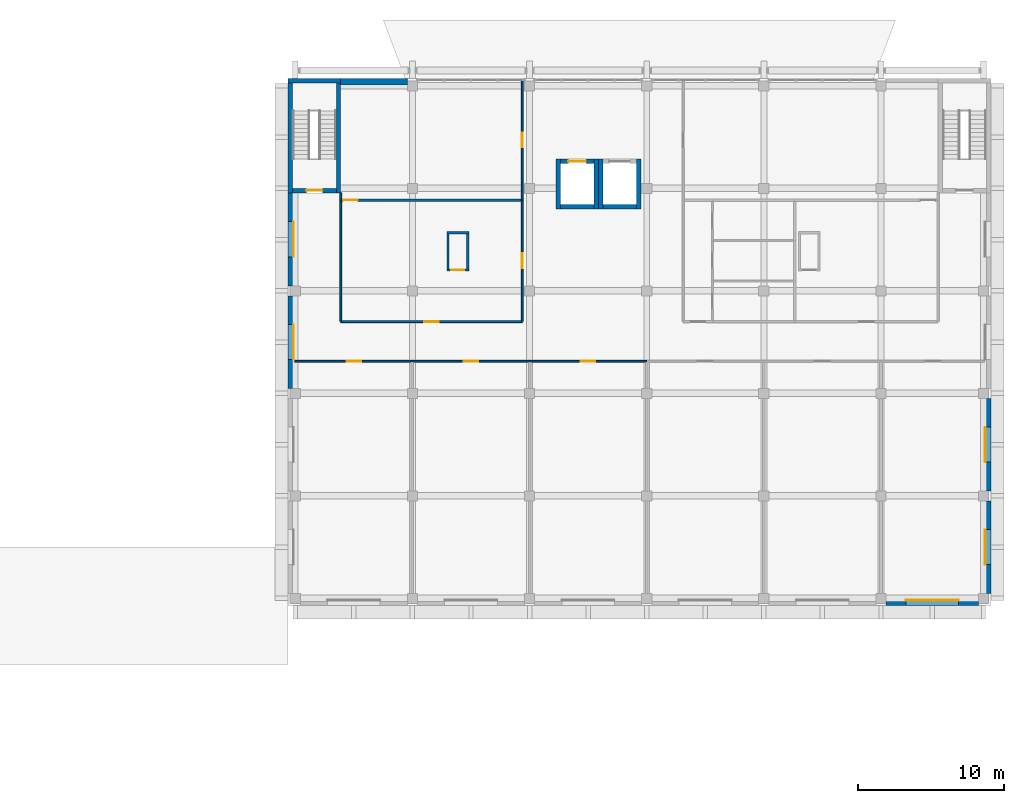
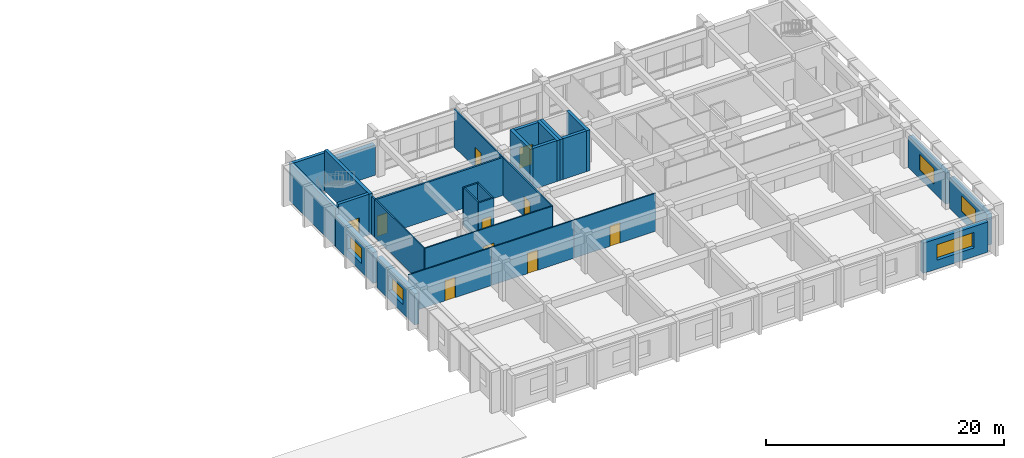
# One storey, part 35 of 45: 30 walls, 10 doors, 5 windows, 15 openings.
"""IFC4 building model written with IfcOpenShell, lengths in metres."""

from ifc_helpers import new_model, si_unit, direction, frame, frame_2d, origin, place, context, subcontext, project, spatial, rectangle, extrude, material, layer, layer_set, type_object, element, fill, save


model = new_model("IFC4")

# Units and contexts
model_context = context("Model", 3, precision=1e-05, world=origin(), true_north=direction((0.0, 1.0)))
body_context = subcontext(model_context, "Body", "Model", "MODEL_VIEW")
ifc_project = project(units=[si_unit("LENGTHUNIT", "METRE"), si_unit("AREAUNIT", "SQUARE_METRE"), si_unit("VOLUMEUNIT", "CUBIC_METRE"), si_unit("PLANEANGLEUNIT", "RADIAN"), si_unit("MASSUNIT", "GRAM", prefix="KILO")], contexts=[model_context])

# Site, building, storey
site_placement = place(None, origin())
site = spatial("IfcSite", under=ifc_project, at=site_placement, CompositionType="ELEMENT")
building_placement = place(site_placement, origin())
building = spatial("IfcBuilding", under=site, at=building_placement, Name="Elmora Arch Market Hall", CompositionType="ELEMENT")
storey_placement = place(building_placement, frame((0.0, 0.0, 6.0)))
storey = spatial("IfcBuildingStorey", under=building, at=storey_placement, Name="L01", CompositionType="ELEMENT", Elevation=6.0)

# Wall, opening, door
ifc_material_1 = material(Name="Blockwork", Category="masonry")
ifc_layer_1 = layer(ifc_material_1, 0.14990234375)
ifc_layer_set_1 = layer_set([ifc_layer_1], Name="Blockwork")
wall_type_1 = type_object("IfcWallType", Name="Blockwork partition 150 EI 120", PredefinedType="PARTITIONING", material=ifc_layer_set_1)
wall_1_placement = place(storey_placement, frame((96.85009765625, 152.925048828125, 0.0), z_axis=(0.0, 0.0, 1.0), x_axis=(1.0, 0.0, 0.0)))
wall_1 = element("IfcWall", 1, at=wall_1_placement, inside=storey, type_object=wall_type_1, Name="Riser wall L01 35", PredefinedType="PARTITIONING", context=body_context, shape_type="SweptSolid", body=[
    extrude(rectangle(XDim=1.5, YDim=0.14990234375, at=frame_2d((0.75, 0.0))), origin(), (0.0, 0.0, 1.0), 3.89990234375),
])
opening_1_placement = place(wall_1_placement, frame((0.300048828125, 0.0, 0.0)))
opening_1 = element("IfcOpeningElement", 2, at=opening_1_placement, cuts=wall_1, Name="Opening D-L01-080", PredefinedType="OPENING", context=body_context, shape_type="SweptSolid", body=[
    extrude(rectangle(XDim=0.89990234375, YDim=2.10009765625, at=frame_2d((0.449951171875, 1.050048828125))), frame((0.0, 0.0849609375, 0.0), z_axis=(0.0, -1.0, 0.0), x_axis=(1.0, 0.0, 0.0)), (0.0, 0.0, 1.0), 0.169921875),
])
ifc_material_2 = material(Name="Steel ASTM A653 galvanised", Category="steel")
door_type_1 = type_object("IfcDoorType", Name="Door 900 x 2100 FD90", OperationType="SINGLE_SWING_LEFT", PredefinedType="DOOR", material=ifc_material_2)
door_1_placement = place(opening_1_placement, origin())
door_1 = element("IfcDoor", 3, at=door_1_placement, inside=storey, type_object=door_type_1, Name="Riser access door D-L01-080", OperationType="SINGLE_SWING_LEFT", OverallHeight=2.10009765625, OverallWidth=0.89990234375, PredefinedType="DOOR", context=body_context, shape_type="SweptSolid", body=[
    extrude(rectangle(XDim=0.89990234375, YDim=2.10009765625, at=frame_2d((0.449951171875, 1.050048828125))), frame((0.0, 0.02490234375, 0.0), z_axis=(0.0, -1.0, 0.0), x_axis=(1.0, 0.0, 0.0)), (0.0, 0.0, 1.0), 0.050048828125),
])
fill(opening_1, door_1)

# Walls
wall_2_placement = place(storey_placement, frame((96.925048828125, 153.0, 0.0), z_axis=(0.0, 0.0, 1.0), x_axis=(0.0, 1.0, 0.0)))
element("IfcWall", 4, at=wall_2_placement, inside=storey, type_object=wall_type_1, Name="Riser wall L01 36", PredefinedType="PARTITIONING", context=body_context, shape_type="SweptSolid", body=[
    extrude(rectangle(XDim=2.39990234375, YDim=0.14990234375, at=frame_2d((1.199951171875, 0.0))), origin(), (0.0, 0.0, 1.0), 3.89990234375),
])
wall_3_placement = place(storey_placement, frame((96.85009765625, 155.47509765625, 0.0), z_axis=(0.0, 0.0, 1.0), x_axis=(1.0, 0.0, 0.0)))
element("IfcWall", 5, at=wall_3_placement, inside=storey, type_object=wall_type_1, Name="Riser wall L01 37", PredefinedType="PARTITIONING", context=body_context, shape_type="SweptSolid", body=[
    extrude(rectangle(XDim=1.5, YDim=0.14990234375, at=frame_2d((0.75, 0.0))), origin(), (0.0, 0.0, 1.0), 3.89990234375),
])
wall_4_placement = place(storey_placement, frame((98.27490234375, 153.0, 0.0), z_axis=(0.0, 0.0, 1.0), x_axis=(0.0, 1.0, 0.0)))
element("IfcWall", 6, at=wall_4_placement, inside=storey, type_object=wall_type_1, Name="Riser wall L01 38", PredefinedType="PARTITIONING", context=body_context, shape_type="SweptSolid", body=[
    extrude(rectangle(XDim=2.39990234375, YDim=0.14990234375, at=frame_2d((1.199951171875, 0.0))), origin(), (0.0, 0.0, 1.0), 3.89990234375),
])
ifc_material_3 = material(Name="Concrete C40/50", Category="concrete")
ifc_layer_2 = layer(ifc_material_3, 0.300048828125)
ifc_layer_set_2 = layer_set([ifc_layer_2], Name="Concrete C40/50")
wall_type_2 = type_object("IfcWallType", Name="Board-marked concrete wall 300", PredefinedType="SOLIDWALL", material=ifc_layer_set_2)
wall_5_placement = place(storey_placement, frame((86.0, 165.85009765625, 0.0), z_axis=(0.0, 0.0, 1.0), x_axis=(1.0, 0.0, 0.0)))
element("IfcWall", 7, at=wall_5_placement, inside=storey, type_object=wall_type_2, Name="School stair wall N L01 1", PredefinedType="SOLIDWALL", context=body_context, shape_type="SweptSolid", body=[
    extrude(rectangle(XDim=3.60009765625, YDim=0.300048828125, at=frame_2d((1.800048828125, 0.0))), origin(), (0.0, 0.0, 1.0), 3.89990234375),
])
wall_6_placement = place(storey_placement, frame((86.14990234375, 158.199951171875, 0.0), z_axis=(0.0, 0.0, 1.0), x_axis=(0.0, 1.0, 0.0)))
element("IfcWall", 8, at=wall_6_placement, inside=storey, type_object=wall_type_2, Name="School stair wall W L01 1", PredefinedType="SOLIDWALL", context=body_context, shape_type="SweptSolid", body=[
    extrude(rectangle(XDim=7.5, YDim=0.300048828125, at=frame_2d((3.75, 0.0))), origin(), (0.0, 0.0, 1.0), 3.89990234375),
])

# Wall, opening, window
ifc_material_4 = material(Name="Concrete C40/50", Category="concrete")
ifc_layer_3 = layer(ifc_material_4, 0.449951171875)
ifc_layer_set_3 = layer_set([ifc_layer_3], Name="Concrete C40/50")
wall_type_3 = type_object("IfcWallType", Name="Board-marked concrete wall 450", PredefinedType="SOLIDWALL", material=ifc_layer_set_3)
wall_7_placement = place(storey_placement, frame((133.14990234375, 130.22509765625, 0.0), z_axis=(0.0, 0.0, 1.0), x_axis=(-1.0, 0.0, 0.0)))
wall_7 = element("IfcWall", 9, at=wall_7_placement, inside=storey, type_object=wall_type_3, Name="School facade wall S L01 6", PredefinedType="SOLIDWALL", context=body_context, shape_type="SweptSolid", body=[
    extrude(rectangle(XDim=6.2998046875, YDim=0.449951171875, at=frame_2d((3.14990234375, 0.0))), origin(), (0.0, 0.0, 1.0), 3.10009765625),
])
opening_2_placement = place(wall_7_placement, frame((1.35009765625, 0.0, 0.89990234375)))
opening_2 = element("IfcOpeningElement", 10, at=opening_2_placement, cuts=wall_7, Name="Opening WB1", PredefinedType="OPENING", context=body_context, shape_type="SweptSolid", body=[
    extrude(rectangle(XDim=3.60009765625, YDim=1.60009765625, at=frame_2d((1.800048828125, 0.800048828125))), frame((0.0, 0.23486328125, 0.0), z_axis=(0.0, -1.0, 0.0), x_axis=(1.0, 0.0, 0.0)), (0.0, 0.0, 1.0), 0.469970703125),
])
ifc_material_5 = material(Name="Aluminium", Category="aluminium")
window_type_1 = type_object("IfcWindowType", Name="School band window 3600x1600", PartitioningType="SINGLE_PANEL", PredefinedType="WINDOW", material=ifc_material_5)
window_1_placement = place(opening_2_placement, origin())
window_1 = element("IfcWindow", 11, at=window_1_placement, inside=storey, type_object=window_type_1, Name="Window WB1 L01 S92", OverallHeight=1.60009765625, OverallWidth=3.60009765625, PartitioningType="SINGLE_PANEL", PredefinedType="WINDOW", context=body_context, shape_type="SweptSolid", body=[
    extrude(rectangle(XDim=3.60009765625, YDim=1.60009765625, at=frame_2d((1.800048828125, 0.800048828125))), frame((0.0, -0.125, 0.0), z_axis=(0.0, -1.0, 0.0), x_axis=(1.0, 0.0, 0.0)), (0.0, 0.0, 1.0), 0.06005859375),
])
fill(opening_2, window_1)

# Wall
wall_8_placement = place(storey_placement, frame((89.60009765625, 165.77490234375, 0.0), z_axis=(0.0, 0.0, 1.0), x_axis=(1.0, 0.0, 0.0)))
element("IfcWall", 12, at=wall_8_placement, inside=storey, type_object=wall_type_3, Name="School facade wall N L01 3", PredefinedType="SOLIDWALL", context=body_context, shape_type="SweptSolid", body=[
    extrude(rectangle(XDim=4.5498046875, YDim=0.449951171875, at=frame_2d((2.27490234375, 0.0))), origin(), (0.0, 0.0, 1.0), 3.10009765625),
])

# Wall, opening, window
wall_9_placement = place(storey_placement, frame((86.22509765625, 144.85009765625, 0.0), z_axis=(0.0, 0.0, 1.0), x_axis=(0.0, 1.0, 0.0)))
wall_9 = element("IfcWall", 13, at=wall_9_placement, inside=storey, type_object=wall_type_3, Name="School facade wall W L01 4", PredefinedType="SOLIDWALL", context=body_context, shape_type="SweptSolid", body=[
    extrude(rectangle(XDim=6.2998046875, YDim=0.449951171875, at=frame_2d((3.14990234375, 0.0))), origin(), (0.0, 0.0, 1.0), 3.199951171875),
])
opening_3_placement = place(wall_9_placement, frame((1.949951171875, 0.0, 0.89990234375)))
opening_3 = element("IfcOpeningElement", 14, at=opening_3_placement, cuts=wall_9, Name="Opening WB2", PredefinedType="OPENING", context=body_context, shape_type="SweptSolid", body=[
    extrude(rectangle(XDim=2.39990234375, YDim=1.60009765625, at=frame_2d((1.199951171875, 0.800048828125))), frame((0.0, 0.23486328125, 0.0), z_axis=(0.0, -1.0, 0.0), x_axis=(1.0, 0.0, 0.0)), (0.0, 0.0, 1.0), 0.469970703125),
])
ifc_material_6 = material(Name="Aluminium", Category="aluminium")
window_type_2 = type_object("IfcWindowType", Name="School end band window 2400x1600", PartitioningType="SINGLE_PANEL", PredefinedType="WINDOW", material=ifc_material_6)
window_2_placement = place(opening_3_placement, origin())
window_2 = element("IfcWindow", 15, at=window_2_placement, inside=storey, type_object=window_type_2, Name="Window WB2 L01 W95", OverallHeight=1.60009765625, OverallWidth=2.39990234375, PartitioningType="SINGLE_PANEL", PredefinedType="WINDOW", context=body_context, shape_type="SweptSolid", body=[
    extrude(rectangle(XDim=2.39990234375, YDim=1.60009765625, at=frame_2d((1.199951171875, 0.800048828125))), frame((0.0, -0.125, 0.0), z_axis=(0.0, -1.0, 0.0), x_axis=(1.0, 0.0, 0.0)), (0.0, 0.0, 1.0), 0.06005859375),
])
fill(opening_3, window_2)

wall_10_placement = place(storey_placement, frame((86.22509765625, 151.85009765625, 0.0), z_axis=(0.0, 0.0, 1.0), x_axis=(0.0, 1.0, 0.0)))
wall_10 = element("IfcWall", 16, at=wall_10_placement, inside=storey, type_object=wall_type_3, Name="School facade wall W L01 5", PredefinedType="SOLIDWALL", context=body_context, shape_type="SweptSolid", body=[
    extrude(rectangle(XDim=6.349853515625, YDim=0.449951171875, at=frame_2d((3.1748046875, 0.0))), origin(), (0.0, 0.0, 1.0), 3.199951171875),
])
opening_4_placement = place(wall_10_placement, frame((1.97509765625, 0.0, 0.89990234375)))
opening_4 = element("IfcOpeningElement", 17, at=opening_4_placement, cuts=wall_10, Name="Opening WB2", PredefinedType="OPENING", context=body_context, shape_type="SweptSolid", body=[
    extrude(rectangle(XDim=2.39990234375, YDim=1.60009765625, at=frame_2d((1.199951171875, 0.800048828125))), frame((0.0, 0.23486328125, 0.0), z_axis=(0.0, -1.0, 0.0), x_axis=(1.0, 0.0, 0.0)), (0.0, 0.0, 1.0), 0.469970703125),
])
window_3_placement = place(opening_4_placement, origin())
window_3 = element("IfcWindow", 18, at=window_3_placement, inside=storey, type_object=window_type_2, Name="Window WB2 L01 W96", OverallHeight=1.60009765625, OverallWidth=2.39990234375, PartitioningType="SINGLE_PANEL", PredefinedType="WINDOW", context=body_context, shape_type="SweptSolid", body=[
    extrude(rectangle(XDim=2.39990234375, YDim=1.60009765625, at=frame_2d((1.199951171875, 0.800048828125))), frame((0.0, -0.125, 0.0), z_axis=(0.0, -1.0, 0.0), x_axis=(1.0, 0.0, 0.0)), (0.0, 0.0, 1.0), 0.06005859375),
])
fill(opening_4, window_3)

wall_11_placement = place(storey_placement, frame((133.77490234375, 137.14990234375, 0.0), z_axis=(0.0, 0.0, 1.0), x_axis=(0.0, -1.0, 0.0)))
wall_11 = element("IfcWall", 19, at=wall_11_placement, inside=storey, type_object=wall_type_3, Name="School facade wall E L01 2", PredefinedType="SOLIDWALL", context=body_context, shape_type="SweptSolid", body=[
    extrude(rectangle(XDim=6.2998046875, YDim=0.449951171875, at=frame_2d((3.14990234375, 0.0))), origin(), (0.0, 0.0, 1.0), 3.199951171875),
])
opening_5_placement = place(wall_11_placement, frame((1.949951171875, 0.0, 0.89990234375)))
opening_5 = element("IfcOpeningElement", 20, at=opening_5_placement, cuts=wall_11, Name="Opening WB2", PredefinedType="OPENING", context=body_context, shape_type="SweptSolid", body=[
    extrude(rectangle(XDim=2.39990234375, YDim=1.60009765625, at=frame_2d((1.199951171875, 0.800048828125))), frame((0.0, 0.23486328125, 0.0), z_axis=(0.0, -1.0, 0.0), x_axis=(1.0, 0.0, 0.0)), (0.0, 0.0, 1.0), 0.469970703125),
])
window_4_placement = place(opening_5_placement, origin())
window_4 = element("IfcWindow", 21, at=window_4_placement, inside=storey, type_object=window_type_2, Name="Window WB2 L01 E97", OverallHeight=1.60009765625, OverallWidth=2.39990234375, PartitioningType="SINGLE_PANEL", PredefinedType="WINDOW", context=body_context, shape_type="SweptSolid", body=[
    extrude(rectangle(XDim=2.39990234375, YDim=1.60009765625, at=frame_2d((1.199951171875, 0.800048828125))), frame((0.0, -0.125, 0.0), z_axis=(0.0, -1.0, 0.0), x_axis=(1.0, 0.0, 0.0)), (0.0, 0.0, 1.0), 0.06005859375),
])
fill(opening_5, window_4)

wall_12_placement = place(storey_placement, frame((133.77490234375, 144.14990234375, 0.0), z_axis=(0.0, 0.0, 1.0), x_axis=(0.0, -1.0, 0.0)))
wall_12 = element("IfcWall", 22, at=wall_12_placement, inside=storey, type_object=wall_type_3, Name="School facade wall E L01 3", PredefinedType="SOLIDWALL", context=body_context, shape_type="SweptSolid", body=[
    extrude(rectangle(XDim=6.2998046875, YDim=0.449951171875, at=frame_2d((3.14990234375, 0.0))), origin(), (0.0, 0.0, 1.0), 3.199951171875),
])
opening_6_placement = place(wall_12_placement, frame((1.949951171875, 0.0, 0.89990234375)))
opening_6 = element("IfcOpeningElement", 23, at=opening_6_placement, cuts=wall_12, Name="Opening WB2", PredefinedType="OPENING", context=body_context, shape_type="SweptSolid", body=[
    extrude(rectangle(XDim=2.39990234375, YDim=1.60009765625, at=frame_2d((1.199951171875, 0.800048828125))), frame((0.0, 0.23486328125, 0.0), z_axis=(0.0, -1.0, 0.0), x_axis=(1.0, 0.0, 0.0)), (0.0, 0.0, 1.0), 0.469970703125),
])
window_5_placement = place(opening_6_placement, origin())
window_5 = element("IfcWindow", 24, at=window_5_placement, inside=storey, type_object=window_type_2, Name="Window WB2 L01 E98", OverallHeight=1.60009765625, OverallWidth=2.39990234375, PartitioningType="SINGLE_PANEL", PredefinedType="WINDOW", context=body_context, shape_type="SweptSolid", body=[
    extrude(rectangle(XDim=2.39990234375, YDim=1.60009765625, at=frame_2d((1.199951171875, 0.800048828125))), frame((0.0, -0.125, 0.0), z_axis=(0.0, -1.0, 0.0), x_axis=(1.0, 0.0, 0.0)), (0.0, 0.0, 1.0), 0.06005859375),
])
fill(opening_6, window_5)

# Walls
ifc_material_7 = material(Name="Concrete C40/50", Category="concrete")
ifc_layer_4 = layer(ifc_material_7, 0.300048828125)
ifc_layer_set_4 = layer_set([ifc_layer_4], Name="Concrete C40/50")
wall_type_4 = type_object("IfcWallType", Name="Lift shaft wall 300", PredefinedType="SHEAR", material=ifc_layer_set_4)
for number, where, z_axis, x_axis, name in (
    (25, (104.449951171875, 157.10009765625, 0.0), (0.0, 0.0, 1.0), (0.0, 1.0, 0.0), "Lift shaft wall SL1 W L01"),
    (26, (107.050048828125, 157.10009765625, 0.0), (0.0, 0.0, 1.0), (0.0, 1.0, 0.0), "Lift shaft wall SL1 E L01"),
):
    element("IfcWall", number, at=place(storey_placement, frame(where, z_axis=z_axis, x_axis=x_axis)), inside=storey, type_object=wall_type_4, Name=name, PredefinedType="SHEAR", context=body_context, shape_type="SweptSolid", body=[
        extrude(rectangle(XDim=3.39990234375, YDim=0.300048828125, at=frame_2d((1.699951171875, 0.0))), origin(), (0.0, 0.0, 1.0), 4.199951171875),
    ])
wall_13_placement = place(storey_placement, frame((104.60009765625, 157.25, 0.0), z_axis=(0.0, 0.0, 1.0), x_axis=(1.0, 0.0, 0.0)))
element("IfcWall", 27, at=wall_13_placement, inside=storey, type_object=wall_type_4, Name="Lift shaft wall SL1 S L01", PredefinedType="SHEAR", context=body_context, shape_type="SweptSolid", body=[
    extrude(rectangle(XDim=2.2998046875, YDim=0.300048828125, at=frame_2d((1.14990234375, 0.0))), origin(), (0.0, 0.0, 1.0), 4.199951171875),
])

# Wall, opening, door
wall_14_placement = place(storey_placement, frame((104.60009765625, 160.35009765625, 0.0), z_axis=(0.0, 0.0, 1.0), x_axis=(1.0, 0.0, 0.0)))
wall_14 = element("IfcWall", 28, at=wall_14_placement, inside=storey, type_object=wall_type_4, Name="Lift shaft wall SL1 N L01", PredefinedType="SHEAR", context=body_context, shape_type="SweptSolid", body=[
    extrude(rectangle(XDim=2.2998046875, YDim=0.300048828125, at=frame_2d((1.14990234375, 0.0))), origin(), (0.0, 0.0, 1.0), 4.199951171875),
])
opening_7_placement = place(wall_14_placement, frame((0.550048828125, 0.0, 0.0)))
opening_7 = element("IfcOpeningElement", 29, at=opening_7_placement, cuts=wall_14, Name="Opening LD-SL1-L01", PredefinedType="OPENING", context=body_context, shape_type="SweptSolid", body=[
    extrude(rectangle(XDim=1.199951171875, YDim=2.10009765625, at=frame_2d((0.60009765625, 1.050048828125))), frame((0.0, 0.159912109375, 0.0), z_axis=(0.0, -1.0, 0.0), x_axis=(1.0, 0.0, 0.0)), (0.0, 0.0, 1.0), 0.320068359375),
])
ifc_material_8 = material(Name="Stainless steel ASTM A240 Type 304", Category="steel")
door_type_2 = type_object("IfcDoorType", Name="Lift landing door 1200 x 2100 FD90", OperationType="SLIDING_TO_LEFT", PredefinedType="DOOR", material=ifc_material_8)
door_2_placement = place(opening_7_placement, origin())
door_2 = element("IfcDoor", 30, at=door_2_placement, inside=storey, type_object=door_type_2, Name="Landing door SL1 L01", OperationType="SLIDING_TO_LEFT", OverallHeight=2.10009765625, OverallWidth=1.199951171875, PredefinedType="DOOR", context=body_context, shape_type="SweptSolid", body=[
    extrude(rectangle(XDim=1.199951171875, YDim=2.10009765625, at=frame_2d((0.60009765625, 1.050048828125))), frame((0.0, 0.02490234375, 0.0), z_axis=(0.0, -1.0, 0.0), x_axis=(1.0, 0.0, 0.0)), (0.0, 0.0, 1.0), 0.050048828125),
])
fill(opening_7, door_2)

# Walls
for number, where, z_axis, x_axis, name in (
    (31, (107.35009765625, 157.10009765625, 0.0), (0.0, 0.0, 1.0), (0.0, 1.0, 0.0), "Lift shaft wall SL2 W L01"),
    (32, (109.949951171875, 157.10009765625, 0.0), (0.0, 0.0, 1.0), (0.0, 1.0, 0.0), "Lift shaft wall SL2 E L01"),
):
    element("IfcWall", number, at=place(storey_placement, frame(where, z_axis=z_axis, x_axis=x_axis)), inside=storey, type_object=wall_type_4, Name=name, PredefinedType="SHEAR", context=body_context, shape_type="SweptSolid", body=[
        extrude(rectangle(XDim=3.39990234375, YDim=0.300048828125, at=frame_2d((1.699951171875, 0.0))), origin(), (0.0, 0.0, 1.0), 4.199951171875),
    ])
wall_15_placement = place(storey_placement, frame((107.5, 157.25, 0.0), z_axis=(0.0, 0.0, 1.0), x_axis=(1.0, 0.0, 0.0)))
element("IfcWall", 33, at=wall_15_placement, inside=storey, type_object=wall_type_4, Name="Lift shaft wall SL2 S L01", PredefinedType="SHEAR", context=body_context, shape_type="SweptSolid", body=[
    extrude(rectangle(XDim=2.300048828125, YDim=0.300048828125, at=frame_2d((1.14990234375, 0.0))), origin(), (0.0, 0.0, 1.0), 4.199951171875),
])

# Wall, opening, door
ifc_material_9 = material(Name="Gypsum board on metal studs")
ifc_layer_5 = layer(ifc_material_9, 0.125)
ifc_layer_set_5 = layer_set([ifc_layer_5], Name="Gypsum board on metal studs")
wall_type_5 = type_object("IfcWallType", Name="Partition 125 EI 60", PredefinedType="PARTITIONING", material=ifc_layer_set_5)
wall_16_placement = place(storey_placement, frame((86.449951171875, 146.699951171875, 0.0), z_axis=(0.0, 0.0, 1.0), x_axis=(1.0, 0.0, 0.0)))
wall_16 = element("IfcWall", 34, at=wall_16_placement, inside=storey, type_object=wall_type_5, Name="Partition PT-L01-065", PredefinedType="PARTITIONING", context=body_context, shape_type="SweptSolid", body=[
    extrude(rectangle(XDim=8.050048828125, YDim=0.125, at=frame_2d((4.02490234375, 0.0))), origin(), (0.0, 0.0, 1.0), 3.89990234375),
])
opening_8_placement = place(wall_16_placement, frame((3.550048828125, 0.0, 0.0)))
opening_8 = element("IfcOpeningElement", 35, at=opening_8_placement, cuts=wall_16, Name="Opening D-L01-070", PredefinedType="OPENING", context=body_context, shape_type="SweptSolid", body=[
    extrude(rectangle(XDim=1.0, YDim=2.10009765625, at=frame_2d((0.5, 1.050048828125))), frame((0.0, 0.072509765625, 0.0), z_axis=(0.0, -1.0, 0.0), x_axis=(1.0, 0.0, 0.0)), (0.0, 0.0, 1.0), 0.14501953125),
])
ifc_material_10 = material(Name="Steel ASTM A653 galvanised", Category="steel")
door_type_3 = type_object("IfcDoorType", Name="Door 1000 x 2100 FD45", OperationType="SINGLE_SWING_LEFT", PredefinedType="DOOR", material=ifc_material_10)
door_3_placement = place(opening_8_placement, frame((1.0, 0.0, 0.0), z_axis=(0.0, 0.0, 1.0), x_axis=(-1.0, 0.0, 0.0)))
door_3 = element("IfcDoor", 36, at=door_3_placement, inside=storey, type_object=door_type_3, Name="D-L01-070", OperationType="SINGLE_SWING_LEFT", OverallHeight=2.10009765625, OverallWidth=1.0, PredefinedType="DOOR", context=body_context, shape_type="SweptSolid", body=[
    extrude(rectangle(XDim=1.0, YDim=2.10009765625, at=frame_2d((0.5, 1.050048828125))), frame((0.0, 0.02490234375, 0.0), z_axis=(0.0, -1.0, 0.0), x_axis=(1.0, 0.0, 0.0)), (0.0, 0.0, 1.0), 0.050048828125),
])
fill(opening_8, door_3)

wall_17_placement = place(storey_placement, frame((94.5, 146.699951171875, 0.0), z_axis=(0.0, 0.0, 1.0), x_axis=(1.0, 0.0, 0.0)))
wall_17 = element("IfcWall", 37, at=wall_17_placement, inside=storey, type_object=wall_type_5, Name="Partition PT-L01-066", PredefinedType="PARTITIONING", context=body_context, shape_type="SweptSolid", body=[
    extrude(rectangle(XDim=8.0, YDim=0.125, at=frame_2d((4.0, 0.0))), origin(), (0.0, 0.0, 1.0), 3.89990234375),
])
opening_9_placement = place(wall_17_placement, frame((3.5, 0.0, 0.0)))
opening_9 = element("IfcOpeningElement", 38, at=opening_9_placement, cuts=wall_17, Name="Opening D-L01-071", PredefinedType="OPENING", context=body_context, shape_type="SweptSolid", body=[
    extrude(rectangle(XDim=1.0, YDim=2.10009765625, at=frame_2d((0.5, 1.050048828125))), frame((0.0, 0.072509765625, 0.0), z_axis=(0.0, -1.0, 0.0), x_axis=(1.0, 0.0, 0.0)), (0.0, 0.0, 1.0), 0.14501953125),
])
door_4_placement = place(opening_9_placement, frame((1.0, 0.0, 0.0), z_axis=(0.0, 0.0, 1.0), x_axis=(-1.0, 0.0, 0.0)))
door_4 = element("IfcDoor", 39, at=door_4_placement, inside=storey, type_object=door_type_3, Name="D-L01-071", OperationType="SINGLE_SWING_RIGHT", OverallHeight=2.10009765625, OverallWidth=1.0, PredefinedType="DOOR", context=body_context, shape_type="SweptSolid", body=[
    extrude(rectangle(XDim=1.0, YDim=2.10009765625, at=frame_2d((0.5, 1.050048828125))), frame((0.0, 0.02490234375, 0.0), z_axis=(0.0, -1.0, 0.0), x_axis=(1.0, 0.0, 0.0)), (0.0, 0.0, 1.0), 0.050048828125),
])
fill(opening_9, door_4)

wall_18_placement = place(storey_placement, frame((102.5, 146.699951171875, 0.0), z_axis=(0.0, 0.0, 1.0), x_axis=(1.0, 0.0, 0.0)))
wall_18 = element("IfcWall", 40, at=wall_18_placement, inside=storey, type_object=wall_type_5, Name="Partition PT-L01-067", PredefinedType="PARTITIONING", context=body_context, shape_type="SweptSolid", body=[
    extrude(rectangle(XDim=8.0, YDim=0.125, at=frame_2d((4.0, 0.0))), origin(), (0.0, 0.0, 1.0), 3.89990234375),
])
opening_10_placement = place(wall_18_placement, frame((3.5, 0.0, 0.0)))
opening_10 = element("IfcOpeningElement", 41, at=opening_10_placement, cuts=wall_18, Name="Opening D-L01-072", PredefinedType="OPENING", context=body_context, shape_type="SweptSolid", body=[
    extrude(rectangle(XDim=1.0, YDim=2.10009765625, at=frame_2d((0.5, 1.050048828125))), frame((0.0, 0.072509765625, 0.0), z_axis=(0.0, -1.0, 0.0), x_axis=(1.0, 0.0, 0.0)), (0.0, 0.0, 1.0), 0.14501953125),
])
door_5_placement = place(opening_10_placement, frame((1.0, 0.0, 0.0), z_axis=(0.0, 0.0, 1.0), x_axis=(-1.0, 0.0, 0.0)))
door_5 = element("IfcDoor", 42, at=door_5_placement, inside=storey, type_object=door_type_3, Name="D-L01-072", OperationType="SINGLE_SWING_RIGHT", OverallHeight=2.10009765625, OverallWidth=1.0, PredefinedType="DOOR", context=body_context, shape_type="SweptSolid", body=[
    extrude(rectangle(XDim=1.0, YDim=2.10009765625, at=frame_2d((0.5, 1.050048828125))), frame((0.0, 0.02490234375, 0.0), z_axis=(0.0, -1.0, 0.0), x_axis=(1.0, 0.0, 0.0)), (0.0, 0.0, 1.0), 0.050048828125),
])
fill(opening_10, door_5)

wall_19_placement = place(storey_placement, frame((89.610107421875, 149.39990234375, 0.0), z_axis=(0.0, 0.0, 1.0), x_axis=(1.0, 0.0, 0.0)))
wall_19 = element("IfcWall", 43, at=wall_19_placement, inside=storey, type_object=wall_type_5, Name="Partition PT-L01-071", PredefinedType="PARTITIONING", context=body_context, shape_type="SweptSolid", body=[
    extrude(rectangle(XDim=12.3798828125, YDim=0.125, at=frame_2d((6.18994140625, 0.0))), origin(), (0.0, 0.0, 1.0), 3.89990234375),
])
opening_11_placement = place(wall_19_placement, frame((5.699951171875, 0.0, 0.0)))
opening_11 = element("IfcOpeningElement", 44, at=opening_11_placement, cuts=wall_19, Name="Opening D-L01-076", PredefinedType="OPENING", context=body_context, shape_type="SweptSolid", body=[
    extrude(rectangle(XDim=1.0, YDim=2.10009765625, at=frame_2d((0.5, 1.050048828125))), frame((0.0, 0.072509765625, 0.0), z_axis=(0.0, -1.0, 0.0), x_axis=(1.0, 0.0, 0.0)), (0.0, 0.0, 1.0), 0.14501953125),
])
door_6_placement = place(opening_11_placement, origin())
door_6 = element("IfcDoor", 45, at=door_6_placement, inside=storey, type_object=door_type_3, Name="D-L01-076", OperationType="SINGLE_SWING_RIGHT", OverallHeight=2.10009765625, OverallWidth=1.0, PredefinedType="DOOR", context=body_context, shape_type="SweptSolid", body=[
    extrude(rectangle(XDim=1.0, YDim=2.10009765625, at=frame_2d((0.5, 1.050048828125))), frame((0.0, 0.02490234375, 0.0), z_axis=(0.0, -1.0, 0.0), x_axis=(1.0, 0.0, 0.0)), (0.0, 0.0, 1.0), 0.050048828125),
])
fill(opening_11, door_6)

# Walls
wall_20_placement = place(storey_placement, frame((89.60009765625, 149.409912109375, 0.0), z_axis=(0.0, 0.0, 1.0), x_axis=(0.0, 1.0, 0.0)))
element("IfcWall", 46, at=wall_20_placement, inside=storey, type_object=wall_type_5, Name="Partition PT-L01-137", PredefinedType="PARTITIONING", context=body_context, shape_type="SweptSolid", body=[
    extrude(rectangle(XDim=8.2900390625, YDim=0.125, at=frame_2d((4.14501953125, 0.0))), origin(), (0.0, 0.0, 1.0), 3.89990234375),
])
wall_21_placement = place(storey_placement, frame((89.60009765625, 157.699951171875, 0.0), z_axis=(0.0, 0.0, 1.0), x_axis=(0.0, 1.0, 0.0)))
element("IfcWall", 47, at=wall_21_placement, inside=storey, type_object=wall_type_5, Name="Partition PT-L01-138", PredefinedType="PARTITIONING", context=body_context, shape_type="SweptSolid", body=[
    extrude(rectangle(XDim=0.5, YDim=0.125, at=frame_2d((0.25, 0.0))), origin(), (0.0, 0.0, 1.0), 3.89990234375),
])

# Wall, opening, door
wall_22_placement = place(storey_placement, frame((102.0, 149.409912109375, 0.0), z_axis=(0.0, 0.0, 1.0), x_axis=(0.0, 1.0, 0.0)))
wall_22 = element("IfcWall", 48, at=wall_22_placement, inside=storey, type_object=wall_type_5, Name="Partition PT-L01-140", PredefinedType="PARTITIONING", context=body_context, shape_type="SweptSolid", body=[
    extrude(rectangle(XDim=8.2900390625, YDim=0.125, at=frame_2d((4.14501953125, 0.0))), origin(), (0.0, 0.0, 1.0), 3.89990234375),
])
opening_12_placement = place(wall_22_placement, frame((3.64990234375, 0.0, 0.0)))
opening_12 = element("IfcOpeningElement", 49, at=opening_12_placement, cuts=wall_22, Name="Opening D-L01-082", PredefinedType="OPENING", context=body_context, shape_type="SweptSolid", body=[
    extrude(rectangle(XDim=1.0, YDim=2.10009765625, at=frame_2d((0.5, 1.050048828125))), frame((0.0, 0.072509765625, 0.0), z_axis=(0.0, -1.0, 0.0), x_axis=(1.0, 0.0, 0.0)), (0.0, 0.0, 1.0), 0.14501953125),
])
door_7_placement = place(opening_12_placement, origin())
door_7 = element("IfcDoor", 50, at=door_7_placement, inside=storey, type_object=door_type_3, Name="D-L01-082", OperationType="SINGLE_SWING_RIGHT", OverallHeight=2.10009765625, OverallWidth=1.0, PredefinedType="DOOR", context=body_context, shape_type="SweptSolid", body=[
    extrude(rectangle(XDim=1.0, YDim=2.10009765625, at=frame_2d((0.5, 1.050048828125))), frame((0.0, 0.02490234375, 0.0), z_axis=(0.0, -1.0, 0.0), x_axis=(1.0, 0.0, 0.0)), (0.0, 0.0, 1.0), 0.050048828125),
])
fill(opening_12, door_7)

wall_23_placement = place(storey_placement, frame((102.0, 157.699951171875, 0.0), z_axis=(0.0, 0.0, 1.0), x_axis=(0.0, 1.0, 0.0)))
wall_23 = element("IfcWall", 51, at=wall_23_placement, inside=storey, type_object=wall_type_5, Name="Partition PT-L01-141", PredefinedType="PARTITIONING", context=body_context, shape_type="SweptSolid", body=[
    extrude(rectangle(XDim=8.150146484375, YDim=0.125, at=frame_2d((4.0751953125, 0.0))), origin(), (0.0, 0.0, 1.0), 3.89990234375),
])
opening_13_placement = place(wall_23_placement, frame((3.60009765625, 0.0, 0.0)))
opening_13 = element("IfcOpeningElement", 52, at=opening_13_placement, cuts=wall_23, Name="Opening D-L01-087", PredefinedType="OPENING", context=body_context, shape_type="SweptSolid", body=[
    extrude(rectangle(XDim=1.0, YDim=2.10009765625, at=frame_2d((0.5, 1.050048828125))), frame((0.0, 0.072509765625, 0.0), z_axis=(0.0, -1.0, 0.0), x_axis=(1.0, 0.0, 0.0)), (0.0, 0.0, 1.0), 0.14501953125),
])
door_8_placement = place(opening_13_placement, origin())
door_8 = element("IfcDoor", 53, at=door_8_placement, inside=storey, type_object=door_type_3, Name="D-L01-087", OperationType="SINGLE_SWING_LEFT", OverallHeight=2.10009765625, OverallWidth=1.0, PredefinedType="DOOR", context=body_context, shape_type="SweptSolid", body=[
    extrude(rectangle(XDim=1.0, YDim=2.10009765625, at=frame_2d((0.5, 1.050048828125))), frame((0.0, 0.02490234375, 0.0), z_axis=(0.0, -1.0, 0.0), x_axis=(1.0, 0.0, 0.0)), (0.0, 0.0, 1.0), 0.050048828125),
])
fill(opening_13, door_8)

ifc_material_11 = material(Name="Gypsum board on metal studs")
ifc_layer_6 = layer(ifc_material_11, 0.175048828125)
ifc_layer_set_6 = layer_set([ifc_layer_6], Name="Gypsum board on metal studs")
wall_type_6 = type_object("IfcWallType", Name="Partition 175 EI 60", PredefinedType="PARTITIONING", material=ifc_layer_set_6)
wall_24_placement = place(storey_placement, frame((89.66259765625, 157.699951171875, 0.0), z_axis=(0.0, 0.0, 1.0), x_axis=(1.0, 0.0, 0.0)))
wall_24 = element("IfcWall", 54, at=wall_24_placement, inside=storey, type_object=wall_type_6, Name="Partition PT-L01-077", PredefinedType="PARTITIONING", context=body_context, shape_type="SweptSolid", body=[
    extrude(rectangle(XDim=12.27490234375, YDim=0.175048828125, at=frame_2d((6.137451171875, 0.0))), origin(), (0.0, 0.0, 1.0), 3.89990234375),
])
opening_14_placement = place(wall_24_placement, frame((0.10009765625, 0.0, 0.0)))
opening_14 = element("IfcOpeningElement", 55, at=opening_14_placement, cuts=wall_24, Name="Opening D-L01-085", PredefinedType="OPENING", context=body_context, shape_type="SweptSolid", body=[
    extrude(rectangle(XDim=1.0, YDim=2.10009765625, at=frame_2d((0.5, 1.050048828125))), frame((0.0, 0.097412109375, 0.0), z_axis=(0.0, -1.0, 0.0), x_axis=(1.0, 0.0, 0.0)), (0.0, 0.0, 1.0), 0.195068359375),
])
door_9_placement = place(opening_14_placement, frame((1.0, 0.0, 0.0), z_axis=(0.0, 0.0, 1.0), x_axis=(-1.0, 0.0, 0.0)))
door_9 = element("IfcDoor", 56, at=door_9_placement, inside=storey, type_object=door_type_3, Name="D-L01-085", OperationType="SINGLE_SWING_RIGHT", OverallHeight=2.10009765625, OverallWidth=1.0, PredefinedType="DOOR", context=body_context, shape_type="SweptSolid", body=[
    extrude(rectangle(XDim=1.0, YDim=2.10009765625, at=frame_2d((0.5, 1.050048828125))), frame((0.0, 0.02490234375, 0.0), z_axis=(0.0, -1.0, 0.0), x_axis=(1.0, 0.0, 0.0)), (0.0, 0.0, 1.0), 0.050048828125),
])
fill(opening_14, door_9)

# Wall
ifc_material_12 = material(Name="Concrete C40/50", Category="concrete")
ifc_layer_7 = layer(ifc_material_12, 0.300048828125)
ifc_layer_set_7 = layer_set([ifc_layer_7], Name="Concrete C40/50")
wall_type_7 = type_object("IfcWallType", Name="Stair wall 300", PredefinedType="SHEAR", material=ifc_layer_set_7)
wall_25_placement = place(storey_placement, frame((89.449951171875, 158.199951171875, 0.0), z_axis=(0.0, 0.0, 1.0), x_axis=(0.0, 1.0, 0.0)))
element("IfcWall", 57, at=wall_25_placement, inside=storey, type_object=wall_type_7, Name="Stair wall ST-SCW E L01", PredefinedType="SHEAR", context=body_context, shape_type="SweptSolid", body=[
    extrude(rectangle(XDim=7.5, YDim=0.300048828125, at=frame_2d((3.75, 0.0))), origin(), (0.0, 0.0, 1.0), 4.199951171875),
])

# Wall, opening, door
wall_26_placement = place(storey_placement, frame((86.300048828125, 158.35009765625, 0.0), z_axis=(0.0, 0.0, 1.0), x_axis=(1.0, 0.0, 0.0)))
wall_26 = element("IfcWall", 58, at=wall_26_placement, inside=storey, type_object=wall_type_7, Name="Stair wall ST-SCW S L01", PredefinedType="SHEAR", context=body_context, shape_type="SweptSolid", body=[
    extrude(rectangle(XDim=3.0, YDim=0.300048828125, at=frame_2d((1.5, 0.0))), origin(), (0.0, 0.0, 1.0), 4.199951171875),
])
opening_15_placement = place(wall_26_placement, frame((0.949951171875, 0.0, 0.0)))
opening_15 = element("IfcOpeningElement", 59, at=opening_15_placement, cuts=wall_26, Name="Opening ST-SCW-L01", PredefinedType="OPENING", context=body_context, shape_type="SweptSolid", body=[
    extrude(rectangle(XDim=1.10009765625, YDim=2.10009765625, at=frame_2d((0.550048828125, 1.050048828125))), frame((0.0, 0.159912109375, 0.0), z_axis=(0.0, -1.0, 0.0), x_axis=(1.0, 0.0, 0.0)), (0.0, 0.0, 1.0), 0.320068359375),
])
ifc_material_13 = material(Name="Steel ASTM A653 galvanised", Category="steel")
door_type_4 = type_object("IfcDoorType", Name="Stair door 1100 x 2100 FD90", OperationType="SINGLE_SWING_LEFT", PredefinedType="DOOR", material=ifc_material_13)
door_10_placement = place(opening_15_placement, origin())
door_10 = element("IfcDoor", 60, at=door_10_placement, inside=storey, type_object=door_type_4, Name="Stair door ST-SCW L01", OperationType="SINGLE_SWING_LEFT", OverallHeight=2.10009765625, OverallWidth=1.10009765625, PredefinedType="DOOR", context=body_context, shape_type="SweptSolid", body=[
    extrude(rectangle(XDim=1.10009765625, YDim=2.10009765625, at=frame_2d((0.550048828125, 1.050048828125))), frame((0.0, 0.02490234375, 0.0), z_axis=(0.0, -1.0, 0.0), x_axis=(1.0, 0.0, 0.0)), (0.0, 0.0, 1.0), 0.050048828125),
])
fill(opening_15, door_10)

save(model, "model.ifc")
